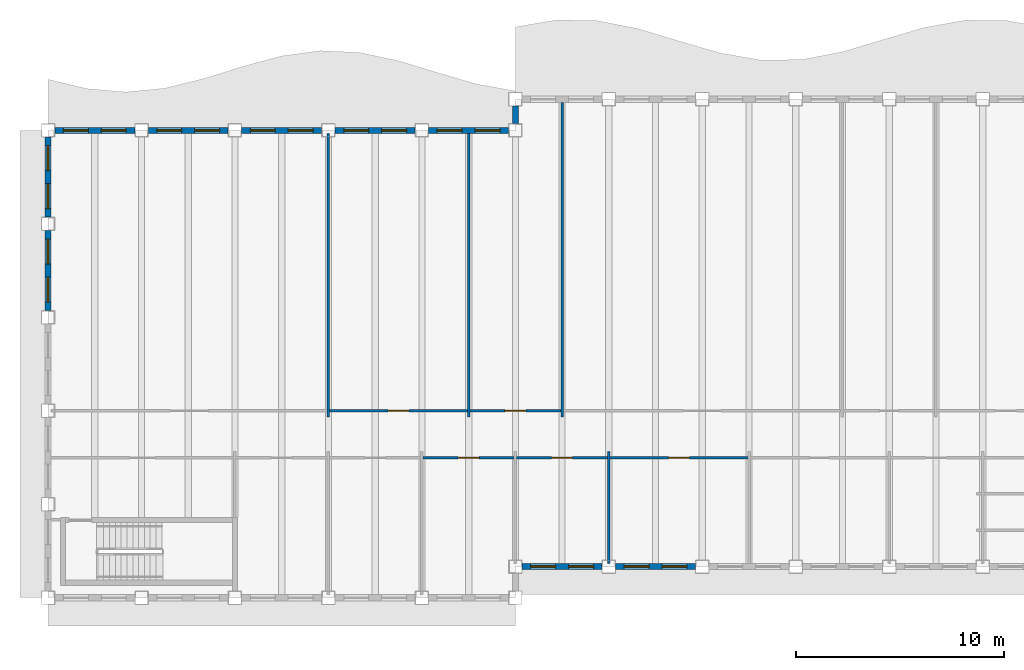
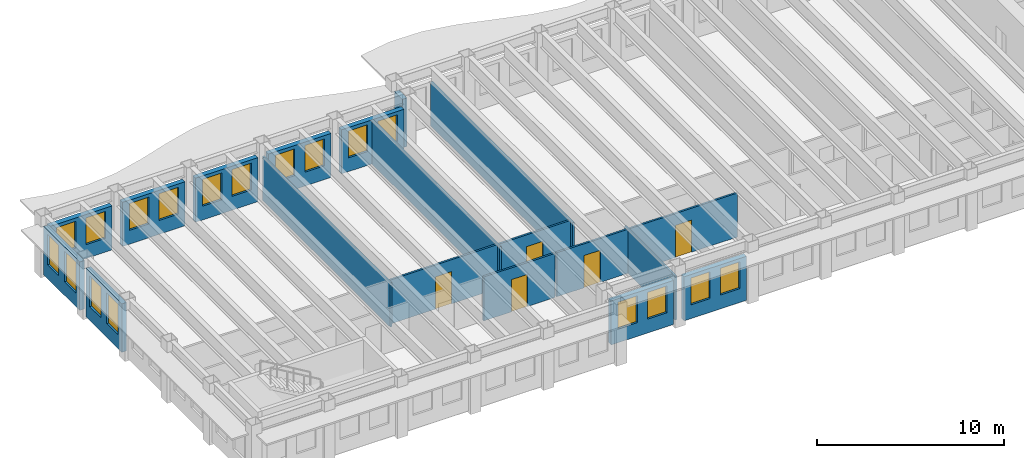
# One storey, part 3 of 12: 19 walls, 18 windows, 5 doors, 23 openings.
"""IFC4 building model written with IfcOpenShell, lengths in metres."""

import ifcopenshell
import ifcopenshell.guid

model = None  # the IFC model being written
_history = None  # IfcOwnerHistory: only IFC2X3 demands one
_inside = {}  # id of a spatial element -> (the spatial element, [elements in it])
_under = {}  # id of a project, library or spatial element -> (it, [spatial elements below it])
_declared = {}  # id of a project -> (the project, [libraries it declares])
_typed = {}  # id of a type object -> (the type object, [elements of that type])
_made_of = {}  # id of a material, layer set ... -> (it, [elements and type objects made of it])


def new_model(schema):
    """Start an empty IFC model of exactly this schema.

    Asked for "IFC4X3", IfcOpenShell would pick the latest addendum, in which some entities
    have other attributes; the version numbers below select the first issue.
    IFC2X3 requires an IfcOwnerHistory on every rooted entity: one is made here for all.
    """
    global model, _history
    if schema == "IFC4X3":
        model = ifcopenshell.file(schema_version=(4, 3, 0, 0))
    else:
        model = ifcopenshell.file(schema=schema)
    _inside.clear()
    _under.clear()
    _declared.clear()
    _typed.clear()
    _made_of.clear()
    _history = None
    if model.schema == "IFC2X3":
        org = make("IfcOrganization", Name="unknown")
        user = make(
            "IfcPersonAndOrganization",
            ThePerson=make("IfcPerson", FamilyName="unknown"),
            TheOrganization=org,
        )
        app = make(
            "IfcApplication",
            ApplicationDeveloper=org,
            Version="unknown",
            ApplicationFullName="unknown",
            ApplicationIdentifier="unknown",
        )
        _history = make(
            "IfcOwnerHistory",
            OwningUser=user,
            OwningApplication=app,
            ChangeAction="ADDED",
            CreationDate=0,
        )
    return model


def make(cls, **values):
    """One entity of the class cls with the attributes given. An attribute that is None is left unset."""
    return model.create_entity(
        cls, **{name: value for name, value in values.items() if value is not None}
    )


def rooted(cls, **values):
    """An entity with a GlobalId (a new one), such as an element, a storey or a relation."""
    return make(cls, GlobalId=ifcopenshell.guid.new(), OwnerHistory=_history, **values)


def si_unit(unit_type, name, prefix=None):
    """IfcSIUnit, for example si_unit("LENGTHUNIT", "METRE", prefix="MILLI")."""
    return make("IfcSIUnit", UnitType=unit_type, Prefix=prefix, Name=name)


def assignment(units):
    """IfcUnitAssignment: the units of a project."""
    return None if units is None else make("IfcUnitAssignment", Units=units)


def point(xyz):
    """IfcCartesianPoint."""
    return None if xyz is None else make("IfcCartesianPoint", Coordinates=xyz)


def direction(xyz):
    """IfcDirection."""
    return None if xyz is None else make("IfcDirection", DirectionRatios=xyz)


def frame(location, z_axis=None, x_axis=None):
    """IfcAxis2Placement3D, a coordinate frame: its origin and axes. An axis left out is left unset."""
    return make(
        "IfcAxis2Placement3D",
        Location=point(location),
        Axis=direction(z_axis),
        RefDirection=direction(x_axis),
    )


def frame_2d(location, x_axis=None):
    """IfcAxis2Placement2D, a coordinate frame in the plane: its origin and x axis."""
    return make(
        "IfcAxis2Placement2D", Location=point(location), RefDirection=direction(x_axis)
    )


def origin():
    """The frame at (0, 0, 0) with its axes left unset."""
    return frame((0.0, 0.0, 0.0))


def place(relative_to, where):
    """IfcLocalPlacement: puts the frame where relative to a parent placement (None: the world)."""
    return make(
        "IfcLocalPlacement", PlacementRelTo=relative_to, RelativePlacement=where
    )


def context(
    kind, dimensions, precision=None, world=None, true_north=None, identifier=None
):
    """IfcGeometricRepresentationContext, for example the 3D "Model" context."""
    return make(
        "IfcGeometricRepresentationContext",
        ContextIdentifier=identifier,
        ContextType=kind,
        CoordinateSpaceDimension=dimensions,
        Precision=precision,
        WorldCoordinateSystem=world,
        TrueNorth=true_north,
    )


def subcontext(parent, identifier, kind, view, scale=None):
    """IfcGeometricRepresentationSubContext, for example "Body" below "Model"."""
    return make(
        "IfcGeometricRepresentationSubContext",
        ContextIdentifier=identifier,
        ContextType=kind,
        ParentContext=parent,
        TargetScale=scale,
        TargetView=view,
    )


def project(units=None, contexts=None):
    """IfcProject with its units and contexts."""
    return rooted(
        "IfcProject",
        Name="project",
        RepresentationContexts=contexts,
        UnitsInContext=assignment(units),
    )


def spatial(cls, under=None, at=None, **own):
    """A site, building, storey or space (cls), placed at a placement, below another one or the project."""
    s = rooted(cls, ObjectPlacement=at, **own)
    if under is not None:
        _under.setdefault(under.id(), (under, []))[1].append(s)
    return s


def profile(cls, at=None, kind="AREA", **sizes):
    """A parametric profile (cls). Its sizes go by their IFC names, for example OverallWidth=200.0."""
    return make(cls, ProfileType=kind, Position=at, **sizes)


def rectangle(**sizes):
    """IfcRectangleProfileDef."""
    return profile("IfcRectangleProfileDef", **sizes)


def extrude(swept, where, along, depth):
    """IfcExtrudedAreaSolid: the profile swept, set in the frame where, extruded along a direction by depth."""
    return make(
        "IfcExtrudedAreaSolid",
        SweptArea=swept,
        Position=where,
        ExtrudedDirection=direction(along),
        Depth=depth,
    )


def shape(context_of_items, identifier, shape_type, items):
    """IfcShapeRepresentation: the items that make up one representation, for example the "Body"."""
    return make(
        "IfcShapeRepresentation",
        ContextOfItems=context_of_items,
        RepresentationIdentifier=identifier,
        RepresentationType=shape_type,
        Items=items,
    )


def material(Name=None, Category=None):
    """IfcMaterial."""
    return make("IfcMaterial", Name=Name, Category=Category)


def layer(
    of_material, thickness, ventilated=None, Name=None, Category=None, Priority=None
):
    """IfcMaterialLayer: one layer of a wall or slab, of a material (None: an air gap)."""
    return make(
        "IfcMaterialLayer",
        Material=of_material,
        LayerThickness=thickness,
        IsVentilated=ventilated,
        Name=Name,
        Category=Category,
        Priority=Priority,
    )


def layer_set(layers, Name=None):
    """IfcMaterialLayerSet."""
    return make("IfcMaterialLayerSet", MaterialLayers=layers, LayerSetName=Name)


def made_of(thing, what):
    """Note that an element or type object is made of a material, layer set ...; save() writes the relation."""
    if what is not None:
        _made_of.setdefault(what.id(), (what, []))[1].append(thing)
    return thing


def type_object(cls, material=None, **own):
    """A type object (cls), such as IfcWallType, which elements share."""
    return made_of(rooted(cls, **own), material)


def element(
    cls,
    number,
    at=None,
    inside=None,
    cuts=None,
    type_object=None,
    material=None,
    context=None,
    identifier="Body",
    shape_type=None,
    held_by="IfcProductDefinitionShape",
    body=None,
    shapes=None,
    **own,
):
    """One element of the class cls, such as IfcWall. Its Tag is "e" and its number.

    at: its placement. inside: the storey or other place that contains it. cuts: it is an
    opening in that element (IfcRelVoidsElement). A single representation is given by context,
    identifier, shape_type and body (its items); several are given by shapes. held_by: the class
    of the entity that holds the representations. save() writes the other relations.
    """
    e = rooted(cls, Tag="e%d" % number, ObjectPlacement=at, **own)
    if body is not None:
        shapes = [shape(context, identifier, shape_type, body)]
    if shapes is not None:
        e.Representation = make(held_by, Representations=shapes)
    if inside is not None:
        _inside.setdefault(inside.id(), (inside, []))[1].append(e)
    if cuts is not None:
        rooted(
            "IfcRelVoidsElement", RelatingBuildingElement=cuts, RelatedOpeningElement=e
        )
    if type_object is not None:
        _typed.setdefault(type_object.id(), (type_object, []))[1].append(e)
    return made_of(e, material)


def fill(opening, filler):
    """IfcRelFillsElement: the door or window that sits in an opening."""
    return rooted(
        "IfcRelFillsElement",
        RelatingOpeningElement=opening,
        RelatedBuildingElement=filler,
    )


def aggregate(whole, parts):
    """IfcRelAggregates: a whole, such as a stair, and the parts it consists of."""
    return rooted("IfcRelAggregates", RelatingObject=whole, RelatedObjects=parts)


def save(model, path):
    """Write the relations noted so far, then the file.

    IfcRelAggregates (storeys below a building ...), IfcRelContainedInSpatialStructure (elements
    in a storey), IfcRelDefinesByType, IfcRelAssociatesMaterial and IfcRelDeclares: one each for
    every whole, place, type object, material and project.
    """
    for whole, parts in _under.values():
        aggregate(whole, parts)
    for where, things in _inside.values():
        rooted(
            "IfcRelContainedInSpatialStructure",
            RelatedElements=things,
            RelatingStructure=where,
        )
    for kind, things in _typed.values():
        rooted("IfcRelDefinesByType", RelatedObjects=things, RelatingType=kind)
    for what, things in _made_of.values():
        rooted("IfcRelAssociatesMaterial", RelatedObjects=things, RelatingMaterial=what)
    for by, libraries in _declared.values():
        rooted("IfcRelDeclares", RelatingContext=by, RelatedDefinitions=libraries)
    model.write(path)


model = new_model("IFC4")

# Units and contexts
model_context = context("Model", 3, precision=1e-05, world=origin(), true_north=direction((0.0, 1.0)))
body_context = subcontext(model_context, "Body", "Model", "MODEL_VIEW")
ifc_project = project(units=[si_unit("LENGTHUNIT", "METRE"), si_unit("AREAUNIT", "SQUARE_METRE"), si_unit("VOLUMEUNIT", "CUBIC_METRE"), si_unit("PLANEANGLEUNIT", "RADIAN"), si_unit("MASSUNIT", "GRAM", prefix="KILO")], contexts=[model_context])

# Site, building, storey
site_placement = place(None, origin())
site = spatial("IfcSite", under=ifc_project, at=site_placement, CompositionType="ELEMENT")
building_placement = place(site_placement, origin())
building = spatial("IfcBuilding", under=site, at=building_placement, Name="Sennacour Bend Tower", CompositionType="ELEMENT")
storey_placement = place(building_placement, frame((0.0, 0.0, 277.0)))
storey = spatial("IfcBuildingStorey", under=building, at=storey_placement, Name="L64", CompositionType="ELEMENT", Elevation=277.0)

# Walls
ifc_material_1 = material(Name="Plasterboard partition on steel studs", Category="steel")
ifc_layer_1 = layer(ifc_material_1, 0.1201171875, Name="Plasterboard partition on steel studs", Category="steel")
ifc_layer_set_1 = layer_set([ifc_layer_1], Name="Plasterboard partition on steel studs")
wall_type_1 = type_object("IfcWallType", Name="Partition 120", PredefinedType="PARTITIONING", material=ifc_layer_set_1)
for number, where, z_axis, x_axis, name in (
    (1, (13.5, 8.699951171875, 0.0), (0.0, 0.0, 1.0), (0.0, 1.0, 0.0), "P-L64-W007a"),
    (2, (20.25, 8.699951171875, 0.0), (0.0, 0.0, 1.0), (0.0, 1.0, 0.0), "P-L64-W009a"),
):
    element("IfcWall", number, at=place(storey_placement, frame(where, z_axis=z_axis, x_axis=x_axis)), inside=storey, type_object=wall_type_1, Name=name, PredefinedType="PARTITIONING", context=body_context, shape_type="SweptSolid", body=[
        extrude(rectangle(XDim=13.650146484375, YDim=0.1201171875, at=frame_2d((6.8251953125, 0.0))), origin(), (0.0, 0.0, 1.0), 2.8701171875),
    ])
wall_1_placement = place(storey_placement, frame((24.75, 8.699951171875, 0.0), z_axis=(0.0, 0.0, 1.0), x_axis=(0.0, 1.0, 0.0)))
element("IfcWall", 3, at=wall_1_placement, inside=storey, type_object=wall_type_1, Name="P-L64-W011a", PredefinedType="PARTITIONING", context=body_context, shape_type="SweptSolid", body=[
    extrude(rectangle(XDim=15.150146484375, YDim=0.1201171875, at=frame_2d((7.5751953125, 0.0))), origin(), (0.0, 0.0, 1.0), 2.8701171875),
])
wall_2_placement = place(storey_placement, frame((27.0, 1.64990234375, 0.0), z_axis=(0.0, 0.0, 1.0), x_axis=(0.0, 1.0, 0.0)))
element("IfcWall", 4, at=wall_2_placement, inside=storey, type_object=wall_type_1, Name="P-L64-W012a", PredefinedType="PARTITIONING", context=body_context, shape_type="SweptSolid", body=[
    extrude(rectangle(XDim=5.400146484375, YDim=0.1201171875, at=frame_2d((2.7001953125, 0.0))), origin(), (0.0, 0.0, 1.0), 2.8701171875),
])

# Wall, opening, door
wall_3_placement = place(storey_placement, frame((18.06005859375, 6.75, 0.0), z_axis=(0.0, 0.0, 1.0), x_axis=(1.0, 0.0, 0.0)))
wall_3 = element("IfcWall", 5, at=wall_3_placement, inside=storey, type_object=wall_type_1, Name="P-L64-W043ad", PredefinedType="PARTITIONING", context=body_context, shape_type="SweptSolid", body=[
    extrude(rectangle(XDim=4.3798828125, YDim=0.1201171875, at=frame_2d((2.18994140625, 0.0))), origin(), (0.0, 0.0, 1.0), 2.8701171875),
])
opening_1_placement = place(wall_3_placement, frame((1.68994140625, 0.0, 0.0)))
opening_1 = element("IfcOpeningElement", 6, at=opening_1_placement, cuts=wall_3, Name="Opening OD2", PredefinedType="OPENING", context=body_context, shape_type="SweptSolid", body=[
    extrude(rectangle(XDim=1.0, YDim=2.10009765625, at=frame_2d((0.5, 1.050048828125))), frame((0.0, 0.070068359375, 0.0), z_axis=(0.0, -1.0, 0.0), x_axis=(1.0, 0.0, 0.0)), (0.0, 0.0, 1.0), 0.14013671875),
])
ifc_material_2 = material(Name="Timber", Category="wood")
door_type = type_object("IfcDoorType", Name="DR-OFFICE-1000", OperationType="NOTDEFINED", PredefinedType="DOOR", material=ifc_material_2)
door_1_placement = place(opening_1_placement, origin())
door_1 = element("IfcDoor", 7, at=door_1_placement, inside=storey, type_object=door_type, Name="Door", OperationType="SINGLE_SWING_LEFT", OverallHeight=2.10009765625, OverallWidth=1.0, PredefinedType="DOOR", context=body_context, shape_type="SweptSolid", body=[
    extrude(rectangle(XDim=1.0, YDim=2.10009765625, at=frame_2d((0.5, 1.050048828125))), frame((0.0, 0.02490234375, 0.0), z_axis=(0.0, -1.0, 0.0), x_axis=(1.0, 0.0, 0.0)), (0.0, 0.0, 1.0), 0.050048828125),
])
fill(opening_1, door_1)

wall_4_placement = place(storey_placement, frame((22.56005859375, 6.75, 0.0), z_axis=(0.0, 0.0, 1.0), x_axis=(1.0, 0.0, 0.0)))
wall_4 = element("IfcWall", 8, at=wall_4_placement, inside=storey, type_object=wall_type_1, Name="P-L64-W043ae", PredefinedType="PARTITIONING", context=body_context, shape_type="SweptSolid", body=[
    extrude(rectangle(XDim=4.3798828125, YDim=0.1201171875, at=frame_2d((2.18994140625, 0.0))), origin(), (0.0, 0.0, 1.0), 2.8701171875),
])
opening_2_placement = place(wall_4_placement, frame((1.68994140625, 0.0, 0.0)))
opening_2 = element("IfcOpeningElement", 9, at=opening_2_placement, cuts=wall_4, Name="Opening OD2", PredefinedType="OPENING", context=body_context, shape_type="SweptSolid", body=[
    extrude(rectangle(XDim=1.0, YDim=2.10009765625, at=frame_2d((0.5, 1.050048828125))), frame((0.0, 0.070068359375, 0.0), z_axis=(0.0, -1.0, 0.0), x_axis=(1.0, 0.0, 0.0)), (0.0, 0.0, 1.0), 0.14013671875),
])
door_2_placement = place(opening_2_placement, origin())
door_2 = element("IfcDoor", 10, at=door_2_placement, inside=storey, type_object=door_type, Name="Door", OperationType="SINGLE_SWING_LEFT", OverallHeight=2.10009765625, OverallWidth=1.0, PredefinedType="DOOR", context=body_context, shape_type="SweptSolid", body=[
    extrude(rectangle(XDim=1.0, YDim=2.10009765625, at=frame_2d((0.5, 1.050048828125))), frame((0.0, 0.02490234375, 0.0), z_axis=(0.0, -1.0, 0.0), x_axis=(1.0, 0.0, 0.0)), (0.0, 0.0, 1.0), 0.050048828125),
])
fill(opening_2, door_2)

wall_5_placement = place(storey_placement, frame((27.06005859375, 6.75, 0.0), z_axis=(0.0, 0.0, 1.0), x_axis=(1.0, 0.0, 0.0)))
wall_5 = element("IfcWall", 11, at=wall_5_placement, inside=storey, type_object=wall_type_1, Name="P-L64-W043af", PredefinedType="PARTITIONING", context=body_context, shape_type="SweptSolid", body=[
    extrude(rectangle(XDim=6.6298828125, YDim=0.1201171875, at=frame_2d((3.31494140625, 0.0))), origin(), (0.0, 0.0, 1.0), 2.8701171875),
])
opening_3_placement = place(wall_5_placement, frame((2.81494140625, 0.0, 0.0)))
opening_3 = element("IfcOpeningElement", 12, at=opening_3_placement, cuts=wall_5, Name="Opening OD2", PredefinedType="OPENING", context=body_context, shape_type="SweptSolid", body=[
    extrude(rectangle(XDim=1.0, YDim=2.10009765625, at=frame_2d((0.5, 1.050048828125))), frame((0.0, 0.070068359375, 0.0), z_axis=(0.0, -1.0, 0.0), x_axis=(1.0, 0.0, 0.0)), (0.0, 0.0, 1.0), 0.14013671875),
])
door_3_placement = place(opening_3_placement, origin())
door_3 = element("IfcDoor", 13, at=door_3_placement, inside=storey, type_object=door_type, Name="Door", OperationType="SINGLE_SWING_LEFT", OverallHeight=2.10009765625, OverallWidth=1.0, PredefinedType="DOOR", context=body_context, shape_type="SweptSolid", body=[
    extrude(rectangle(XDim=1.0, YDim=2.10009765625, at=frame_2d((0.5, 1.050048828125))), frame((0.0, 0.02490234375, 0.0), z_axis=(0.0, -1.0, 0.0), x_axis=(1.0, 0.0, 0.0)), (0.0, 0.0, 1.0), 0.050048828125),
])
fill(opening_3, door_3)

wall_6_placement = place(storey_placement, frame((13.56005859375, 9.0, 0.0), z_axis=(0.0, 0.0, 1.0), x_axis=(1.0, 0.0, 0.0)))
wall_6 = element("IfcWall", 14, at=wall_6_placement, inside=storey, type_object=wall_type_1, Name="P-L64-W044ab", PredefinedType="PARTITIONING", context=body_context, shape_type="SweptSolid", body=[
    extrude(rectangle(XDim=6.6298828125, YDim=0.1201171875, at=frame_2d((3.31494140625, 0.0))), origin(), (0.0, 0.0, 1.0), 2.8701171875),
])
opening_4_placement = place(wall_6_placement, frame((2.81494140625, 0.0, 0.0)))
opening_4 = element("IfcOpeningElement", 15, at=opening_4_placement, cuts=wall_6, Name="Opening OD2", PredefinedType="OPENING", context=body_context, shape_type="SweptSolid", body=[
    extrude(rectangle(XDim=1.0, YDim=2.10009765625, at=frame_2d((0.5, 1.050048828125))), frame((0.0, 0.070068359375, 0.0), z_axis=(0.0, -1.0, 0.0), x_axis=(1.0, 0.0, 0.0)), (0.0, 0.0, 1.0), 0.14013671875),
])
door_4_placement = place(opening_4_placement, origin())
door_4 = element("IfcDoor", 16, at=door_4_placement, inside=storey, type_object=door_type, Name="Door", OperationType="SINGLE_SWING_LEFT", OverallHeight=2.10009765625, OverallWidth=1.0, PredefinedType="DOOR", context=body_context, shape_type="SweptSolid", body=[
    extrude(rectangle(XDim=1.0, YDim=2.10009765625, at=frame_2d((0.5, 1.050048828125))), frame((0.0, 0.02490234375, 0.0), z_axis=(0.0, -1.0, 0.0), x_axis=(1.0, 0.0, 0.0)), (0.0, 0.0, 1.0), 0.050048828125),
])
fill(opening_4, door_4)

wall_7_placement = place(storey_placement, frame((20.31005859375, 9.0, 0.0), z_axis=(0.0, 0.0, 1.0), x_axis=(1.0, 0.0, 0.0)))
wall_7 = element("IfcWall", 17, at=wall_7_placement, inside=storey, type_object=wall_type_1, Name="P-L64-W044ac", PredefinedType="PARTITIONING", context=body_context, shape_type="SweptSolid", body=[
    extrude(rectangle(XDim=4.3798828125, YDim=0.1201171875, at=frame_2d((2.18994140625, 0.0))), origin(), (0.0, 0.0, 1.0), 2.8701171875),
])
opening_5_placement = place(wall_7_placement, frame((1.68994140625, 0.0, 0.0)))
opening_5 = element("IfcOpeningElement", 18, at=opening_5_placement, cuts=wall_7, Name="Opening OD2", PredefinedType="OPENING", context=body_context, shape_type="SweptSolid", body=[
    extrude(rectangle(XDim=1.0, YDim=2.10009765625, at=frame_2d((0.5, 1.050048828125))), frame((0.0, 0.070068359375, 0.0), z_axis=(0.0, -1.0, 0.0), x_axis=(1.0, 0.0, 0.0)), (0.0, 0.0, 1.0), 0.14013671875),
])
door_5_placement = place(opening_5_placement, origin())
door_5 = element("IfcDoor", 19, at=door_5_placement, inside=storey, type_object=door_type, Name="Door", OperationType="SINGLE_SWING_LEFT", OverallHeight=2.10009765625, OverallWidth=1.0, PredefinedType="DOOR", context=body_context, shape_type="SweptSolid", body=[
    extrude(rectangle(XDim=1.0, YDim=2.10009765625, at=frame_2d((0.5, 1.050048828125))), frame((0.0, 0.02490234375, 0.0), z_axis=(0.0, -1.0, 0.0), x_axis=(1.0, 0.0, 0.0)), (0.0, 0.0, 1.0), 0.050048828125),
])
fill(opening_5, door_5)

# Wall, openings, windows
ifc_material_3 = material(Name="Warm limestone cladding", Category="masonry")
ifc_layer_2 = layer(ifc_material_3, 0.050048828125, Name="Warm limestone cladding", Category="masonry")
ifc_material_4 = material(Name="Precast concrete C40/50", Category="concrete")
ifc_layer_3 = layer(ifc_material_4, 0.25, Name="Precast concrete C40/50", Category="concrete")
ifc_layer_set_2 = layer_set([ifc_layer_2, ifc_layer_3], Name="Precast concrete C40/50 with limestone cladding")
wall_type_2 = type_object("IfcWallType", Name="STONE-CLAD PRECAST SPANDREL 300", PredefinedType="STANDARD", material=ifc_layer_set_2)
wall_8_placement = place(storey_placement, frame((22.824951171875, 1.5, 0.0), z_axis=(0.0, 0.0, 1.0), x_axis=(1.0, 0.0, 0.0)))
wall_8 = element("IfcWall", 20, at=wall_8_placement, inside=storey, type_object=wall_type_2, Name="Stone spandrel and pier wall L64 01.00", PredefinedType="STANDARD", context=body_context, shape_type="SweptSolid", body=[
    extrude(rectangle(XDim=3.85009765625, YDim=0.300048828125, at=frame_2d((1.925048828125, 0.0))), origin(), (0.0, 0.0, 1.0), 2.8701171875),
])
opening_6_placement = place(wall_8_placement, frame((0.41259765625, 0.0, 0.89990234375)))
opening_6 = element("IfcOpeningElement", 21, at=opening_6_placement, cuts=wall_8, Name="Opening W16", PredefinedType="OPENING", context=body_context, shape_type="SweptSolid", body=[
    extrude(rectangle(XDim=1.199951171875, YDim=1.75, at=frame_2d((0.60009765625, 0.875))), frame((0.0, 0.16015625, 0.0), z_axis=(0.0, -1.0, 0.0), x_axis=(1.0, 0.0, 0.0)), (0.0, 0.0, 1.0), 0.320068359375),
])
opening_7_placement = place(wall_8_placement, frame((2.237548828125, 0.0, 0.89990234375)))
opening_7 = element("IfcOpeningElement", 22, at=opening_7_placement, cuts=wall_8, Name="Opening W16", PredefinedType="OPENING", context=body_context, shape_type="SweptSolid", body=[
    extrude(rectangle(XDim=1.199951171875, YDim=1.75, at=frame_2d((0.60009765625, 0.875))), frame((0.0, 0.16015625, 0.0), z_axis=(0.0, -1.0, 0.0), x_axis=(1.0, 0.0, 0.0)), (0.0, 0.0, 1.0), 0.320068359375),
])
ifc_material_5 = material(Name="Clear low-emissivity glass", Category="glass")
window_type_1 = type_object("IfcWindowType", Name="WIN-RIBBON-1200x1750", PartitioningType="SINGLE_PANEL", PredefinedType="WINDOW", material=ifc_material_5)
window_1_placement = place(opening_6_placement, origin())
window_1 = element("IfcWindow", 23, at=window_1_placement, inside=storey, type_object=window_type_1, Name="Ribbon window L64 01.00.0", OverallHeight=1.75, OverallWidth=1.199951171875, PartitioningType="SINGLE_PANEL", PredefinedType="WINDOW", context=body_context, shape_type="SweptSolid", body=[
    extrude(rectangle(XDim=1.199951171875, YDim=1.75, at=frame_2d((0.60009765625, 0.875))), frame((0.0, 0.030029296875, 0.0), z_axis=(0.0, -1.0, 0.0), x_axis=(1.0, 0.0, 0.0)), (0.0, 0.0, 1.0), 0.06005859375),
])
fill(opening_6, window_1)
window_2_placement = place(opening_7_placement, origin())
window_2 = element("IfcWindow", 24, at=window_2_placement, inside=storey, type_object=window_type_1, Name="Ribbon window L64 01.00.1", OverallHeight=1.75, OverallWidth=1.199951171875, PartitioningType="SINGLE_PANEL", PredefinedType="WINDOW", context=body_context, shape_type="SweptSolid", body=[
    extrude(rectangle(XDim=1.199951171875, YDim=1.75, at=frame_2d((0.60009765625, 0.875))), frame((0.0, 0.030029296875, 0.0), z_axis=(0.0, -1.0, 0.0), x_axis=(1.0, 0.0, 0.0)), (0.0, 0.0, 1.0), 0.06005859375),
])
fill(opening_7, window_2)

wall_9_placement = place(storey_placement, frame((27.324951171875, 1.5, 0.0), z_axis=(0.0, 0.0, 1.0), x_axis=(1.0, 0.0, 0.0)))
wall_9 = element("IfcWall", 25, at=wall_9_placement, inside=storey, type_object=wall_type_2, Name="Stone spandrel and pier wall L64 01.01", PredefinedType="STANDARD", context=body_context, shape_type="SweptSolid", body=[
    extrude(rectangle(XDim=3.85009765625, YDim=0.300048828125, at=frame_2d((1.925048828125, 0.0))), origin(), (0.0, 0.0, 1.0), 2.8701171875),
])
opening_8_placement = place(wall_9_placement, frame((0.41259765625, 0.0, 0.89990234375)))
opening_8 = element("IfcOpeningElement", 26, at=opening_8_placement, cuts=wall_9, Name="Opening W16", PredefinedType="OPENING", context=body_context, shape_type="SweptSolid", body=[
    extrude(rectangle(XDim=1.199951171875, YDim=1.75, at=frame_2d((0.60009765625, 0.875))), frame((0.0, 0.16015625, 0.0), z_axis=(0.0, -1.0, 0.0), x_axis=(1.0, 0.0, 0.0)), (0.0, 0.0, 1.0), 0.320068359375),
])
opening_9_placement = place(wall_9_placement, frame((2.237548828125, 0.0, 0.89990234375)))
opening_9 = element("IfcOpeningElement", 27, at=opening_9_placement, cuts=wall_9, Name="Opening W16", PredefinedType="OPENING", context=body_context, shape_type="SweptSolid", body=[
    extrude(rectangle(XDim=1.199951171875, YDim=1.75, at=frame_2d((0.60009765625, 0.875))), frame((0.0, 0.16015625, 0.0), z_axis=(0.0, -1.0, 0.0), x_axis=(1.0, 0.0, 0.0)), (0.0, 0.0, 1.0), 0.320068359375),
])
window_3_placement = place(opening_8_placement, origin())
window_3 = element("IfcWindow", 28, at=window_3_placement, inside=storey, type_object=window_type_1, Name="Ribbon window L64 01.01.0", OverallHeight=1.75, OverallWidth=1.199951171875, PartitioningType="SINGLE_PANEL", PredefinedType="WINDOW", context=body_context, shape_type="SweptSolid", body=[
    extrude(rectangle(XDim=1.199951171875, YDim=1.75, at=frame_2d((0.60009765625, 0.875))), frame((0.0, 0.030029296875, 0.0), z_axis=(0.0, -1.0, 0.0), x_axis=(1.0, 0.0, 0.0)), (0.0, 0.0, 1.0), 0.06005859375),
])
fill(opening_8, window_3)
window_4_placement = place(opening_9_placement, origin())
window_4 = element("IfcWindow", 29, at=window_4_placement, inside=storey, type_object=window_type_1, Name="Ribbon window L64 01.01.1", OverallHeight=1.75, OverallWidth=1.199951171875, PartitioningType="SINGLE_PANEL", PredefinedType="WINDOW", context=body_context, shape_type="SweptSolid", body=[
    extrude(rectangle(XDim=1.199951171875, YDim=1.75, at=frame_2d((0.60009765625, 0.875))), frame((0.0, 0.030029296875, 0.0), z_axis=(0.0, -1.0, 0.0), x_axis=(1.0, 0.0, 0.0)), (0.0, 0.0, 1.0), 0.06005859375),
])
fill(opening_9, window_4)

# Wall
wall_10_placement = place(storey_placement, frame((22.5, 23.675048828125, 0.0), z_axis=(0.0, 0.0, 1.0), x_axis=(0.0, -1.0, 0.0)))
element("IfcWall", 30, at=wall_10_placement, inside=storey, type_object=wall_type_2, Name="Stone spandrel and pier wall L64 08.00", PredefinedType="STANDARD", context=body_context, shape_type="SweptSolid", body=[
    extrude(rectangle(XDim=0.85009765625, YDim=0.300048828125, at=frame_2d((0.425048828125, 0.0))), origin(), (0.0, 0.0, 1.0), 3.162109375),
])

# Wall, openings, windows
wall_11_placement = place(storey_placement, frame((22.175048828125, 22.5, 0.0), z_axis=(0.0, 0.0, 1.0), x_axis=(-1.0, 0.0, 0.0)))
wall_11 = element("IfcWall", 31, at=wall_11_placement, inside=storey, type_object=wall_type_2, Name="Stone spandrel and pier wall L64 09.00", PredefinedType="STANDARD", context=body_context, shape_type="SweptSolid", body=[
    extrude(rectangle(XDim=3.85009765625, YDim=0.300048828125, at=frame_2d((1.925048828125, 0.0))), origin(), (0.0, 0.0, 1.0), 2.8701171875),
])
opening_10_placement = place(wall_11_placement, frame((0.41259765625, 0.0, 0.89990234375)))
opening_10 = element("IfcOpeningElement", 32, at=opening_10_placement, cuts=wall_11, Name="Opening W16", PredefinedType="OPENING", context=body_context, shape_type="SweptSolid", body=[
    extrude(rectangle(XDim=1.199951171875, YDim=1.75, at=frame_2d((0.60009765625, 0.875))), frame((0.0, 0.16015625, 0.0), z_axis=(0.0, -1.0, 0.0), x_axis=(1.0, 0.0, 0.0)), (0.0, 0.0, 1.0), 0.320068359375),
])
opening_11_placement = place(wall_11_placement, frame((2.237548828125, 0.0, 0.89990234375)))
opening_11 = element("IfcOpeningElement", 33, at=opening_11_placement, cuts=wall_11, Name="Opening W16", PredefinedType="OPENING", context=body_context, shape_type="SweptSolid", body=[
    extrude(rectangle(XDim=1.199951171875, YDim=1.75, at=frame_2d((0.60009765625, 0.875))), frame((0.0, 0.16015625, 0.0), z_axis=(0.0, -1.0, 0.0), x_axis=(1.0, 0.0, 0.0)), (0.0, 0.0, 1.0), 0.320068359375),
])
window_5_placement = place(opening_10_placement, origin())
window_5 = element("IfcWindow", 34, at=window_5_placement, inside=storey, type_object=window_type_1, Name="Ribbon window L64 09.00.0", OverallHeight=1.75, OverallWidth=1.199951171875, PartitioningType="SINGLE_PANEL", PredefinedType="WINDOW", context=body_context, shape_type="SweptSolid", body=[
    extrude(rectangle(XDim=1.199951171875, YDim=1.75, at=frame_2d((0.60009765625, 0.875))), frame((0.0, 0.030029296875, 0.0), z_axis=(0.0, -1.0, 0.0), x_axis=(1.0, 0.0, 0.0)), (0.0, 0.0, 1.0), 0.06005859375),
])
fill(opening_10, window_5)
window_6_placement = place(opening_11_placement, origin())
window_6 = element("IfcWindow", 35, at=window_6_placement, inside=storey, type_object=window_type_1, Name="Ribbon window L64 09.00.1", OverallHeight=1.75, OverallWidth=1.199951171875, PartitioningType="SINGLE_PANEL", PredefinedType="WINDOW", context=body_context, shape_type="SweptSolid", body=[
    extrude(rectangle(XDim=1.199951171875, YDim=1.75, at=frame_2d((0.60009765625, 0.875))), frame((0.0, 0.030029296875, 0.0), z_axis=(0.0, -1.0, 0.0), x_axis=(1.0, 0.0, 0.0)), (0.0, 0.0, 1.0), 0.06005859375),
])
fill(opening_11, window_6)

wall_12_placement = place(storey_placement, frame((17.675048828125, 22.5, 0.0), z_axis=(0.0, 0.0, 1.0), x_axis=(-1.0, 0.0, 0.0)))
wall_12 = element("IfcWall", 36, at=wall_12_placement, inside=storey, type_object=wall_type_2, Name="Stone spandrel and pier wall L64 09.01", PredefinedType="STANDARD", context=body_context, shape_type="SweptSolid", body=[
    extrude(rectangle(XDim=3.85009765625, YDim=0.300048828125, at=frame_2d((1.925048828125, 0.0))), origin(), (0.0, 0.0, 1.0), 2.8701171875),
])
opening_12_placement = place(wall_12_placement, frame((0.41259765625, 0.0, 0.89990234375)))
opening_12 = element("IfcOpeningElement", 37, at=opening_12_placement, cuts=wall_12, Name="Opening W16", PredefinedType="OPENING", context=body_context, shape_type="SweptSolid", body=[
    extrude(rectangle(XDim=1.199951171875, YDim=1.75, at=frame_2d((0.60009765625, 0.875))), frame((0.0, 0.16015625, 0.0), z_axis=(0.0, -1.0, 0.0), x_axis=(1.0, 0.0, 0.0)), (0.0, 0.0, 1.0), 0.320068359375),
])
opening_13_placement = place(wall_12_placement, frame((2.237548828125, 0.0, 0.89990234375)))
opening_13 = element("IfcOpeningElement", 38, at=opening_13_placement, cuts=wall_12, Name="Opening W16", PredefinedType="OPENING", context=body_context, shape_type="SweptSolid", body=[
    extrude(rectangle(XDim=1.199951171875, YDim=1.75, at=frame_2d((0.60009765625, 0.875))), frame((0.0, 0.16015625, 0.0), z_axis=(0.0, -1.0, 0.0), x_axis=(1.0, 0.0, 0.0)), (0.0, 0.0, 1.0), 0.320068359375),
])
window_7_placement = place(opening_12_placement, origin())
window_7 = element("IfcWindow", 39, at=window_7_placement, inside=storey, type_object=window_type_1, Name="Ribbon window L64 09.01.0", OverallHeight=1.75, OverallWidth=1.199951171875, PartitioningType="SINGLE_PANEL", PredefinedType="WINDOW", context=body_context, shape_type="SweptSolid", body=[
    extrude(rectangle(XDim=1.199951171875, YDim=1.75, at=frame_2d((0.60009765625, 0.875))), frame((0.0, 0.030029296875, 0.0), z_axis=(0.0, -1.0, 0.0), x_axis=(1.0, 0.0, 0.0)), (0.0, 0.0, 1.0), 0.06005859375),
])
fill(opening_12, window_7)
window_8_placement = place(opening_13_placement, origin())
window_8 = element("IfcWindow", 40, at=window_8_placement, inside=storey, type_object=window_type_1, Name="Ribbon window L64 09.01.1", OverallHeight=1.75, OverallWidth=1.199951171875, PartitioningType="SINGLE_PANEL", PredefinedType="WINDOW", context=body_context, shape_type="SweptSolid", body=[
    extrude(rectangle(XDim=1.199951171875, YDim=1.75, at=frame_2d((0.60009765625, 0.875))), frame((0.0, 0.030029296875, 0.0), z_axis=(0.0, -1.0, 0.0), x_axis=(1.0, 0.0, 0.0)), (0.0, 0.0, 1.0), 0.06005859375),
])
fill(opening_13, window_8)

wall_13_placement = place(storey_placement, frame((13.175048828125, 22.5, 0.0), z_axis=(0.0, 0.0, 1.0), x_axis=(-1.0, 0.0, 0.0)))
wall_13 = element("IfcWall", 41, at=wall_13_placement, inside=storey, type_object=wall_type_2, Name="Stone spandrel and pier wall L64 09.02", PredefinedType="STANDARD", context=body_context, shape_type="SweptSolid", body=[
    extrude(rectangle(XDim=3.85009765625, YDim=0.300048828125, at=frame_2d((1.925048828125, 0.0))), origin(), (0.0, 0.0, 1.0), 2.8701171875),
])
opening_14_placement = place(wall_13_placement, frame((0.41259765625, 0.0, 0.89990234375)))
opening_14 = element("IfcOpeningElement", 42, at=opening_14_placement, cuts=wall_13, Name="Opening W16", PredefinedType="OPENING", context=body_context, shape_type="SweptSolid", body=[
    extrude(rectangle(XDim=1.199951171875, YDim=1.75, at=frame_2d((0.60009765625, 0.875))), frame((0.0, 0.16015625, 0.0), z_axis=(0.0, -1.0, 0.0), x_axis=(1.0, 0.0, 0.0)), (0.0, 0.0, 1.0), 0.320068359375),
])
opening_15_placement = place(wall_13_placement, frame((2.237548828125, 0.0, 0.89990234375)))
opening_15 = element("IfcOpeningElement", 43, at=opening_15_placement, cuts=wall_13, Name="Opening W16", PredefinedType="OPENING", context=body_context, shape_type="SweptSolid", body=[
    extrude(rectangle(XDim=1.199951171875, YDim=1.75, at=frame_2d((0.60009765625, 0.875))), frame((0.0, 0.16015625, 0.0), z_axis=(0.0, -1.0, 0.0), x_axis=(1.0, 0.0, 0.0)), (0.0, 0.0, 1.0), 0.320068359375),
])
window_9_placement = place(opening_14_placement, origin())
window_9 = element("IfcWindow", 44, at=window_9_placement, inside=storey, type_object=window_type_1, Name="Ribbon window L64 09.02.0", OverallHeight=1.75, OverallWidth=1.199951171875, PartitioningType="SINGLE_PANEL", PredefinedType="WINDOW", context=body_context, shape_type="SweptSolid", body=[
    extrude(rectangle(XDim=1.199951171875, YDim=1.75, at=frame_2d((0.60009765625, 0.875))), frame((0.0, 0.030029296875, 0.0), z_axis=(0.0, -1.0, 0.0), x_axis=(1.0, 0.0, 0.0)), (0.0, 0.0, 1.0), 0.06005859375),
])
fill(opening_14, window_9)
window_10_placement = place(opening_15_placement, origin())
window_10 = element("IfcWindow", 45, at=window_10_placement, inside=storey, type_object=window_type_1, Name="Ribbon window L64 09.02.1", OverallHeight=1.75, OverallWidth=1.199951171875, PartitioningType="SINGLE_PANEL", PredefinedType="WINDOW", context=body_context, shape_type="SweptSolid", body=[
    extrude(rectangle(XDim=1.199951171875, YDim=1.75, at=frame_2d((0.60009765625, 0.875))), frame((0.0, 0.030029296875, 0.0), z_axis=(0.0, -1.0, 0.0), x_axis=(1.0, 0.0, 0.0)), (0.0, 0.0, 1.0), 0.06005859375),
])
fill(opening_15, window_10)

wall_14_placement = place(storey_placement, frame((8.675048828125, 22.5, 0.0), z_axis=(0.0, 0.0, 1.0), x_axis=(-1.0, 0.0, 0.0)))
wall_14 = element("IfcWall", 46, at=wall_14_placement, inside=storey, type_object=wall_type_2, Name="Stone spandrel and pier wall L64 09.03", PredefinedType="STANDARD", context=body_context, shape_type="SweptSolid", body=[
    extrude(rectangle(XDim=3.85009765625, YDim=0.300048828125, at=frame_2d((1.925048828125, 0.0))), origin(), (0.0, 0.0, 1.0), 2.8701171875),
])
opening_16_placement = place(wall_14_placement, frame((0.41259765625, 0.0, 0.89990234375)))
opening_16 = element("IfcOpeningElement", 47, at=opening_16_placement, cuts=wall_14, Name="Opening W16", PredefinedType="OPENING", context=body_context, shape_type="SweptSolid", body=[
    extrude(rectangle(XDim=1.199951171875, YDim=1.75, at=frame_2d((0.60009765625, 0.875))), frame((0.0, 0.16015625, 0.0), z_axis=(0.0, -1.0, 0.0), x_axis=(1.0, 0.0, 0.0)), (0.0, 0.0, 1.0), 0.320068359375),
])
opening_17_placement = place(wall_14_placement, frame((2.237548828125, 0.0, 0.89990234375)))
opening_17 = element("IfcOpeningElement", 48, at=opening_17_placement, cuts=wall_14, Name="Opening W16", PredefinedType="OPENING", context=body_context, shape_type="SweptSolid", body=[
    extrude(rectangle(XDim=1.199951171875, YDim=1.75, at=frame_2d((0.60009765625, 0.875))), frame((0.0, 0.16015625, 0.0), z_axis=(0.0, -1.0, 0.0), x_axis=(1.0, 0.0, 0.0)), (0.0, 0.0, 1.0), 0.320068359375),
])
window_11_placement = place(opening_16_placement, origin())
window_11 = element("IfcWindow", 49, at=window_11_placement, inside=storey, type_object=window_type_1, Name="Ribbon window L64 09.03.0", OverallHeight=1.75, OverallWidth=1.199951171875, PartitioningType="SINGLE_PANEL", PredefinedType="WINDOW", context=body_context, shape_type="SweptSolid", body=[
    extrude(rectangle(XDim=1.199951171875, YDim=1.75, at=frame_2d((0.60009765625, 0.875))), frame((0.0, 0.030029296875, 0.0), z_axis=(0.0, -1.0, 0.0), x_axis=(1.0, 0.0, 0.0)), (0.0, 0.0, 1.0), 0.06005859375),
])
fill(opening_16, window_11)
window_12_placement = place(opening_17_placement, origin())
window_12 = element("IfcWindow", 50, at=window_12_placement, inside=storey, type_object=window_type_1, Name="Ribbon window L64 09.03.1", OverallHeight=1.75, OverallWidth=1.199951171875, PartitioningType="SINGLE_PANEL", PredefinedType="WINDOW", context=body_context, shape_type="SweptSolid", body=[
    extrude(rectangle(XDim=1.199951171875, YDim=1.75, at=frame_2d((0.60009765625, 0.875))), frame((0.0, 0.030029296875, 0.0), z_axis=(0.0, -1.0, 0.0), x_axis=(1.0, 0.0, 0.0)), (0.0, 0.0, 1.0), 0.06005859375),
])
fill(opening_17, window_12)

wall_15_placement = place(storey_placement, frame((4.175048828125, 22.5, 0.0), z_axis=(0.0, 0.0, 1.0), x_axis=(-1.0, 0.0, 0.0)))
wall_15 = element("IfcWall", 51, at=wall_15_placement, inside=storey, type_object=wall_type_2, Name="Stone spandrel and pier wall L64 09.04", PredefinedType="STANDARD", context=body_context, shape_type="SweptSolid", body=[
    extrude(rectangle(XDim=3.85009765625, YDim=0.300048828125, at=frame_2d((1.925048828125, 0.0))), origin(), (0.0, 0.0, 1.0), 2.8701171875),
])
opening_18_placement = place(wall_15_placement, frame((0.41259765625, 0.0, 0.89990234375)))
opening_18 = element("IfcOpeningElement", 52, at=opening_18_placement, cuts=wall_15, Name="Opening W16", PredefinedType="OPENING", context=body_context, shape_type="SweptSolid", body=[
    extrude(rectangle(XDim=1.199951171875, YDim=1.75, at=frame_2d((0.60009765625, 0.875))), frame((0.0, 0.16015625, 0.0), z_axis=(0.0, -1.0, 0.0), x_axis=(1.0, 0.0, 0.0)), (0.0, 0.0, 1.0), 0.320068359375),
])
opening_19_placement = place(wall_15_placement, frame((2.237548828125, 0.0, 0.89990234375)))
opening_19 = element("IfcOpeningElement", 53, at=opening_19_placement, cuts=wall_15, Name="Opening W16", PredefinedType="OPENING", context=body_context, shape_type="SweptSolid", body=[
    extrude(rectangle(XDim=1.199951171875, YDim=1.75, at=frame_2d((0.60009765625, 0.875))), frame((0.0, 0.16015625, 0.0), z_axis=(0.0, -1.0, 0.0), x_axis=(1.0, 0.0, 0.0)), (0.0, 0.0, 1.0), 0.320068359375),
])
window_13_placement = place(opening_18_placement, origin())
window_13 = element("IfcWindow", 54, at=window_13_placement, inside=storey, type_object=window_type_1, Name="Ribbon window L64 09.04.0", OverallHeight=1.75, OverallWidth=1.199951171875, PartitioningType="SINGLE_PANEL", PredefinedType="WINDOW", context=body_context, shape_type="SweptSolid", body=[
    extrude(rectangle(XDim=1.199951171875, YDim=1.75, at=frame_2d((0.60009765625, 0.875))), frame((0.0, 0.030029296875, 0.0), z_axis=(0.0, -1.0, 0.0), x_axis=(1.0, 0.0, 0.0)), (0.0, 0.0, 1.0), 0.06005859375),
])
fill(opening_18, window_13)
window_14_placement = place(opening_19_placement, origin())
window_14 = element("IfcWindow", 55, at=window_14_placement, inside=storey, type_object=window_type_1, Name="Ribbon window L64 09.04.1", OverallHeight=1.75, OverallWidth=1.199951171875, PartitioningType="SINGLE_PANEL", PredefinedType="WINDOW", context=body_context, shape_type="SweptSolid", body=[
    extrude(rectangle(XDim=1.199951171875, YDim=1.75, at=frame_2d((0.60009765625, 0.875))), frame((0.0, 0.030029296875, 0.0), z_axis=(0.0, -1.0, 0.0), x_axis=(1.0, 0.0, 0.0)), (0.0, 0.0, 1.0), 0.06005859375),
])
fill(opening_19, window_14)

wall_16_placement = place(storey_placement, frame((0.0, 22.175048828125, 0.0), z_axis=(0.0, 0.0, 1.0), x_axis=(0.0, -1.0, 0.0)))
wall_16 = element("IfcWall", 56, at=wall_16_placement, inside=storey, type_object=wall_type_2, Name="Stone spandrel and pier wall L64 10.00", PredefinedType="STANDARD", context=body_context, shape_type="SweptSolid", body=[
    extrude(rectangle(XDim=3.85009765625, YDim=0.300048828125, at=frame_2d((1.925048828125, 0.0))), origin(), (0.0, 0.0, 1.0), 3.162109375),
])
opening_20_placement = place(wall_16_placement, frame((0.41259765625, 0.0, 0.89990234375)))
opening_20 = element("IfcOpeningElement", 57, at=opening_20_placement, cuts=wall_16, Name="Opening W14", PredefinedType="OPENING", context=body_context, shape_type="SweptSolid", body=[
    extrude(rectangle(XDim=1.199951171875, YDim=2.0, at=frame_2d((0.60009765625, 1.0))), frame((0.0, 0.16015625, 0.0), z_axis=(0.0, -1.0, 0.0), x_axis=(1.0, 0.0, 0.0)), (0.0, 0.0, 1.0), 0.320068359375),
])
opening_21_placement = place(wall_16_placement, frame((2.237548828125, 0.0, 0.89990234375)))
opening_21 = element("IfcOpeningElement", 58, at=opening_21_placement, cuts=wall_16, Name="Opening W14", PredefinedType="OPENING", context=body_context, shape_type="SweptSolid", body=[
    extrude(rectangle(XDim=1.199951171875, YDim=2.0, at=frame_2d((0.60009765625, 1.0))), frame((0.0, 0.16015625, 0.0), z_axis=(0.0, -1.0, 0.0), x_axis=(1.0, 0.0, 0.0)), (0.0, 0.0, 1.0), 0.320068359375),
])
window_type_2 = type_object("IfcWindowType", Name="WIN-RIBBON-1200x2000", PartitioningType="SINGLE_PANEL", PredefinedType="WINDOW", material=ifc_material_5)
window_15_placement = place(opening_20_placement, origin())
window_15 = element("IfcWindow", 59, at=window_15_placement, inside=storey, type_object=window_type_2, Name="Ribbon window L64 10.00.0", OverallHeight=2.0, OverallWidth=1.199951171875, PartitioningType="SINGLE_PANEL", PredefinedType="WINDOW", context=body_context, shape_type="SweptSolid", body=[
    extrude(rectangle(XDim=1.199951171875, YDim=2.0, at=frame_2d((0.60009765625, 1.0))), frame((0.0, 0.030029296875, 0.0), z_axis=(0.0, -1.0, 0.0), x_axis=(1.0, 0.0, 0.0)), (0.0, 0.0, 1.0), 0.06005859375),
])
fill(opening_20, window_15)
window_16_placement = place(opening_21_placement, origin())
window_16 = element("IfcWindow", 60, at=window_16_placement, inside=storey, type_object=window_type_2, Name="Ribbon window L64 10.00.1", OverallHeight=2.0, OverallWidth=1.199951171875, PartitioningType="SINGLE_PANEL", PredefinedType="WINDOW", context=body_context, shape_type="SweptSolid", body=[
    extrude(rectangle(XDim=1.199951171875, YDim=2.0, at=frame_2d((0.60009765625, 1.0))), frame((0.0, 0.030029296875, 0.0), z_axis=(0.0, -1.0, 0.0), x_axis=(1.0, 0.0, 0.0)), (0.0, 0.0, 1.0), 0.06005859375),
])
fill(opening_21, window_16)

wall_17_placement = place(storey_placement, frame((0.0, 17.675048828125, 0.0), z_axis=(0.0, 0.0, 1.0), x_axis=(0.0, -1.0, 0.0)))
wall_17 = element("IfcWall", 61, at=wall_17_placement, inside=storey, type_object=wall_type_2, Name="Stone spandrel and pier wall L64 10.01", PredefinedType="STANDARD", context=body_context, shape_type="SweptSolid", body=[
    extrude(rectangle(XDim=3.85009765625, YDim=0.300048828125, at=frame_2d((1.925048828125, 0.0))), origin(), (0.0, 0.0, 1.0), 3.162109375),
])
opening_22_placement = place(wall_17_placement, frame((0.41259765625, 0.0, 0.89990234375)))
opening_22 = element("IfcOpeningElement", 62, at=opening_22_placement, cuts=wall_17, Name="Opening W14", PredefinedType="OPENING", context=body_context, shape_type="SweptSolid", body=[
    extrude(rectangle(XDim=1.199951171875, YDim=2.0, at=frame_2d((0.60009765625, 1.0))), frame((0.0, 0.16015625, 0.0), z_axis=(0.0, -1.0, 0.0), x_axis=(1.0, 0.0, 0.0)), (0.0, 0.0, 1.0), 0.320068359375),
])
opening_23_placement = place(wall_17_placement, frame((2.237548828125, 0.0, 0.89990234375)))
opening_23 = element("IfcOpeningElement", 63, at=opening_23_placement, cuts=wall_17, Name="Opening W14", PredefinedType="OPENING", context=body_context, shape_type="SweptSolid", body=[
    extrude(rectangle(XDim=1.199951171875, YDim=2.0, at=frame_2d((0.60009765625, 1.0))), frame((0.0, 0.16015625, 0.0), z_axis=(0.0, -1.0, 0.0), x_axis=(1.0, 0.0, 0.0)), (0.0, 0.0, 1.0), 0.320068359375),
])
window_17_placement = place(opening_22_placement, origin())
window_17 = element("IfcWindow", 64, at=window_17_placement, inside=storey, type_object=window_type_2, Name="Ribbon window L64 10.01.0", OverallHeight=2.0, OverallWidth=1.199951171875, PartitioningType="SINGLE_PANEL", PredefinedType="WINDOW", context=body_context, shape_type="SweptSolid", body=[
    extrude(rectangle(XDim=1.199951171875, YDim=2.0, at=frame_2d((0.60009765625, 1.0))), frame((0.0, 0.030029296875, 0.0), z_axis=(0.0, -1.0, 0.0), x_axis=(1.0, 0.0, 0.0)), (0.0, 0.0, 1.0), 0.06005859375),
])
fill(opening_22, window_17)
window_18_placement = place(opening_23_placement, origin())
window_18 = element("IfcWindow", 65, at=window_18_placement, inside=storey, type_object=window_type_2, Name="Ribbon window L64 10.01.1", OverallHeight=2.0, OverallWidth=1.199951171875, PartitioningType="SINGLE_PANEL", PredefinedType="WINDOW", context=body_context, shape_type="SweptSolid", body=[
    extrude(rectangle(XDim=1.199951171875, YDim=2.0, at=frame_2d((0.60009765625, 1.0))), frame((0.0, 0.030029296875, 0.0), z_axis=(0.0, -1.0, 0.0), x_axis=(1.0, 0.0, 0.0)), (0.0, 0.0, 1.0), 0.06005859375),
])
fill(opening_23, window_18)

save(model, "model.ifc")
